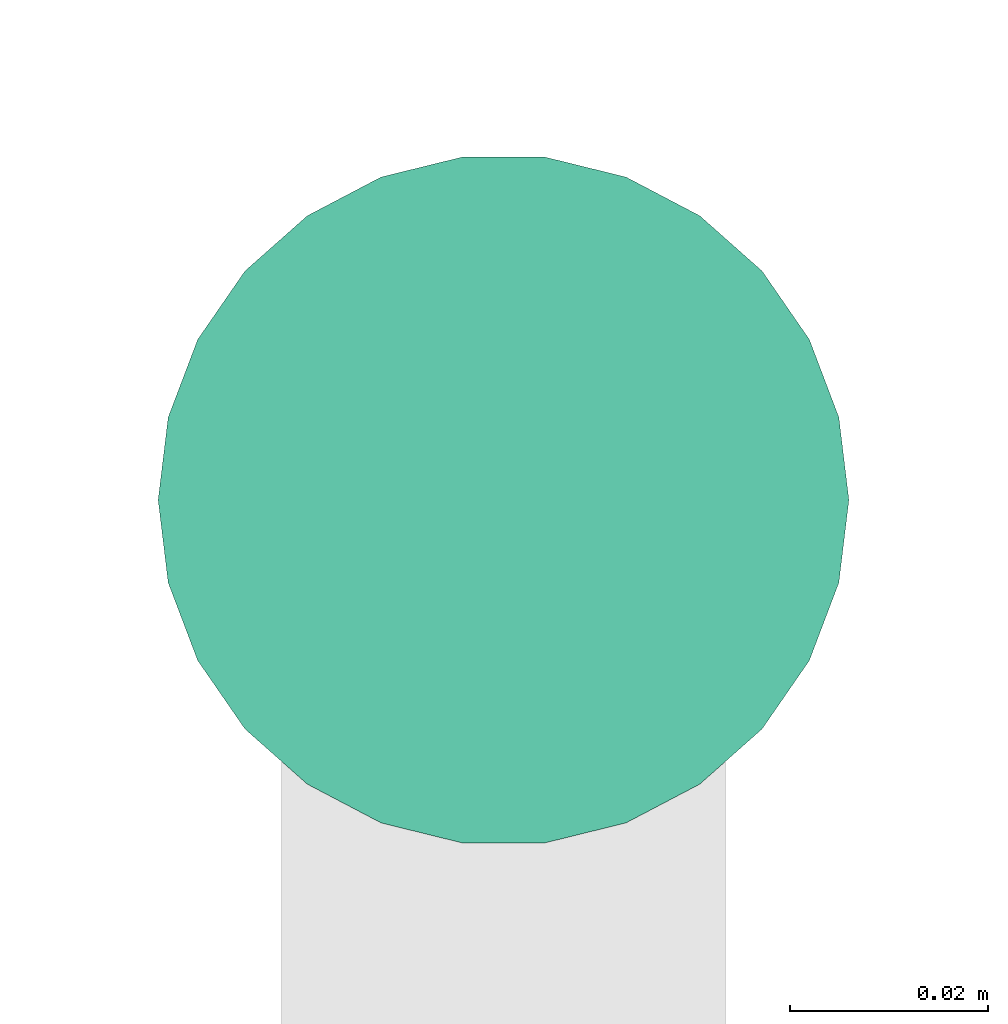
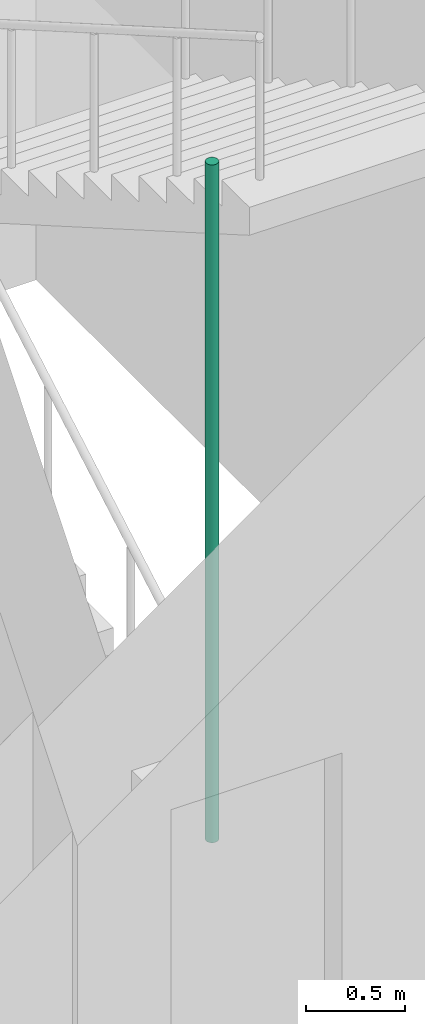
# One storey, part 33 of 36: 1 pipe segment.
"""IFC4 building model written with IfcOpenShell, lengths in metres."""

from ifc_helpers import new_model, si_unit, direction, frame, origin, origin_2d, place, context, subcontext, project, spatial, circle, extrude, element, save


model = new_model("IFC4")

# Units and contexts
model_context = context("Model", 3, precision=1e-05, world=origin(), true_north=direction((0.0, 1.0)))
body_context = subcontext(model_context, "Body", "Model", "MODEL_VIEW")
ifc_project = project(units=[si_unit("LENGTHUNIT", "METRE"), si_unit("AREAUNIT", "SQUARE_METRE"), si_unit("VOLUMEUNIT", "CUBIC_METRE"), si_unit("PLANEANGLEUNIT", "RADIAN"), si_unit("MASSUNIT", "GRAM", prefix="KILO")], contexts=[model_context])

# Site, building, storey
site_placement = place(None, origin())
site = spatial("IfcSite", under=ifc_project, at=site_placement, CompositionType="ELEMENT")
building_placement = place(site_placement, origin())
building = spatial("IfcBuilding", under=site, at=building_placement, Name="Nzadi Deep Aquarium and Research Tower", CompositionType="ELEMENT")
storey_placement = place(building_placement, frame((0.0, 0.0, 36.10009765625)))
storey = spatial("IfcBuildingStorey", under=building, at=storey_placement, Name="L06", CompositionType="ELEMENT", Elevation=36.10009765625)

# Pipe segment
pipe_segment_placement = place(storey_placement, frame((25.10009765625, 13.719970703125, 0.0), z_axis=(0.0, 0.0, 1.0), x_axis=(1.0, 0.0, 0.0)))
element("IfcPipeSegment", 1, at=pipe_segment_placement, inside=storey, Name="Dry riser ST-Z1-SE L06", PredefinedType="RIGIDSEGMENT", context=body_context, shape_type="SweptSolid", body=[
    extrude(circle(Radius=0.034912109375, at=origin_2d()), origin(), (0.0, 0.0, 1.0), 4.199951171875),
])

save(model, "model.ifc")
